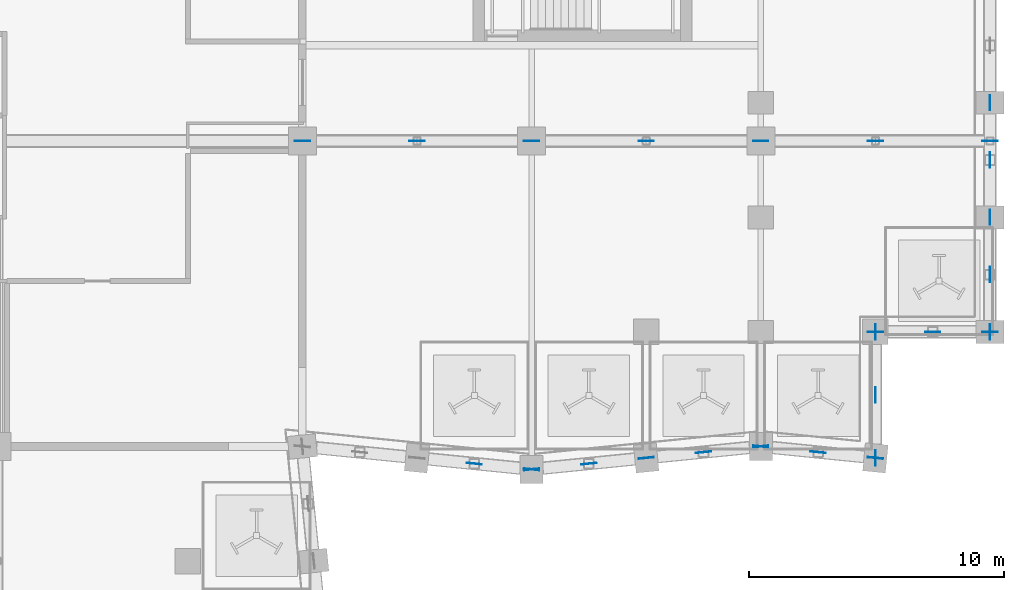
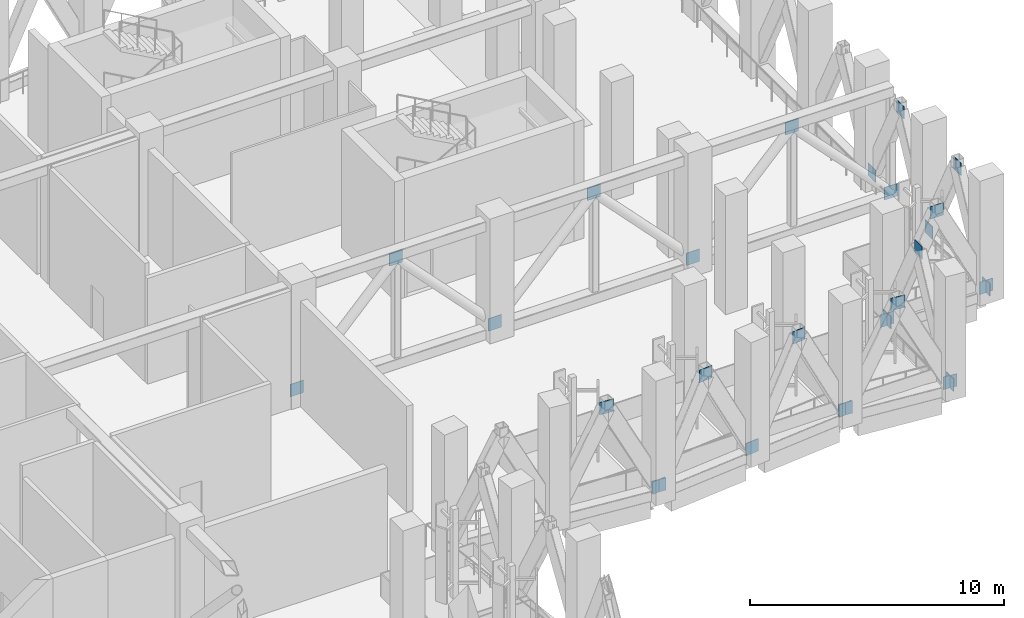
# One storey, part 20 of 28: 28 discrete accessories.
"""IFC4 building model written with IfcOpenShell, lengths in metres."""

from ifc_helpers import new_model, si_unit, direction, frame, origin, origin_2d, place, context, subcontext, project, spatial, rectangle, extrude, material, layer, layer_set, type_object, element, save


model = new_model("IFC4")

# Units and contexts
model_context = context("Model", 3, precision=1e-05, world=origin(), true_north=direction((0.0, 1.0)))
body_context = subcontext(model_context, "Body", "Model", "MODEL_VIEW")
ifc_project = project(units=[si_unit("LENGTHUNIT", "METRE"), si_unit("AREAUNIT", "SQUARE_METRE"), si_unit("VOLUMEUNIT", "CUBIC_METRE"), si_unit("PLANEANGLEUNIT", "RADIAN"), si_unit("MASSUNIT", "GRAM", prefix="KILO")], contexts=[model_context])

# Site, building, storey
site_placement = place(None, origin())
site = spatial("IfcSite", under=ifc_project, at=site_placement, CompositionType="ELEMENT")
building_placement = place(site_placement, origin())
building = spatial("IfcBuilding", under=site, at=building_placement, Name="Brondeck Convention Tower", CompositionType="ELEMENT")
storey_placement = place(building_placement, frame((0.0, 0.0, 192.800048828125)))
storey = spatial("IfcBuildingStorey", under=building, at=storey_placement, Name="L47", CompositionType="ELEMENT", Elevation=192.800048828125)

# Discrete accessories
ifc_material = material(Name="Steel S460", Category="steel")
ifc_layer = layer(ifc_material, 0.02490234375)
ifc_layer_set = layer_set([ifc_layer], Name="Gusset plate 600x600x25 Steel S460")
discrete_accessory_type = type_object("IfcDiscreteAccessoryType", Name="Gusset plate 600x600x25 Steel S460", PredefinedType="BRACKET", material=ifc_layer_set)
for number, where, z_axis, x_axis, name in (
    (1, (42.75, 26.324951171875, 4.6376953125), (0.0, 0.0, 1.0), (-0.9950364836, 0.099510784867, 0.0), "Gusset plate GP-544"),
    (2, (45.0, 26.10009765625, 0.199951171875), (0.0, 0.0, 1.0), (-0.9950364836, 0.099510784867, 0.0), "Gusset plate GP-545"),
    (3, (45.0, 26.10009765625, 0.199951171875), (0.0, 0.0, 1.0), (0.9950364836, 0.099510784867, 0.0), "Gusset plate GP-546"),
    (4, (47.25, 26.324951171875, 4.6376953125), (0.0, 0.0, 1.0), (0.9950364836, 0.099510784867, 0.0), "Gusset plate GP-547"),
    (5, (49.5, 26.550048828125, 0.199951171875), (0.0, 0.0, 1.0), (0.9950364836, 0.099510784867, 0.0), "Gusset plate GP-548"),
    (6, (51.75, 26.77490234375, 4.6376953125), (0.0, 0.0, 1.0), (0.9950364836, 0.099510784867, 0.0), "Gusset plate GP-549"),
    (7, (54.0, 27.0, 0.199951171875), (0.0, 0.0, 1.0), (0.9950364836, 0.099510784867, 0.0), "Gusset plate GP-550"),
    (8, (54.0, 27.0, 0.199951171875), (0.0, 0.0, 1.0), (-0.9950364836, 0.099510784867, 0.0), "Gusset plate GP-551"),
    (9, (56.25, 26.77490234375, 4.6376953125), (0.0, 0.0, 1.0), (-0.9950364836, 0.099510784867, 0.0), "Gusset plate GP-552"),
    (10, (58.5, 26.550048828125, 0.199951171875), (0.0, 0.0, 1.0), (-0.9950364836, 0.099510784867, 0.0), "Gusset plate GP-553"),
    (11, (58.5, 26.550048828125, 0.199951171875), (0.0, 0.0, 1.0), (0.0, 1.0, 0.0), "Gusset plate GP-554"),
    (12, (58.5, 29.02490234375, 5.0498046875), (0.0, 0.0, 1.0), (0.0, 1.0, 0.0), "Gusset plate GP-555"),
    (13, (58.5, 31.5, 0.199951171875), (0.0, 0.0, 1.0), (0.0, 1.0, 0.0), "Gusset plate GP-556"),
    (14, (58.5, 31.5, 0.199951171875), (0.0, 0.0, 1.0), (1.0, 0.0, 0.0), "Gusset plate GP-557"),
    (15, (60.75, 31.5, 4.61572265625), (0.0, 0.0, 1.0), (1.0, 0.0, 0.0), "Gusset plate GP-558"),
    (16, (63.0, 31.5, 0.199951171875), (0.0, 0.0, 1.0), (1.0, 0.0, 0.0), "Gusset plate GP-559"),
    (17, (63.0, 31.5, 0.199951171875), (0.0, 0.0, 1.0), (0.0, 1.0, 0.0), "Gusset plate GP-560"),
    (18, (63.0, 33.75, 4.61572265625), (0.0, 0.0, 1.0), (0.0, 1.0, 0.0), "Gusset plate GP-561"),
    (19, (63.0, 36.0, 0.199951171875), (0.0, 0.0, 1.0), (0.0, 1.0, 0.0), "Gusset plate GP-562"),
    (20, (63.0, 38.25, 4.61572265625), (0.0, 0.0, 1.0), (0.0, 1.0, 0.0), "Gusset plate GP-563"),
    (21, (63.0, 40.5, 0.199951171875), (0.0, 0.0, 1.0), (0.0, 1.0, 0.0), "Gusset plate GP-564"),
    (22, (36.0, 39.0, 0.199951171875), (0.0, 0.0, 1.0), (1.0, 0.0, 0.0), "Gusset plate GP-648"),
    (23, (40.5, 39.0, 4.89990234375), (0.0, 0.0, 1.0), (1.0, 0.0, 0.0), "Gusset plate GP-649"),
    (24, (45.0, 39.0, 0.199951171875), (0.0, 0.0, 1.0), (1.0, 0.0, 0.0), "Gusset plate GP-650"),
    (25, (49.5, 39.0, 4.89990234375), (0.0, 0.0, 1.0), (1.0, 0.0, 0.0), "Gusset plate GP-651"),
    (26, (54.0, 39.0, 0.199951171875), (0.0, 0.0, 1.0), (1.0, 0.0, 0.0), "Gusset plate GP-652"),
    (27, (58.5, 39.0, 4.89990234375), (0.0, 0.0, 1.0), (1.0, 0.0, 0.0), "Gusset plate GP-653"),
    (28, (63.0, 39.0, 0.199951171875), (0.0, 0.0, 1.0), (1.0, 0.0, 0.0), "Gusset plate GP-654"),
):
    element("IfcDiscreteAccessory", number, at=place(storey_placement, frame(where, z_axis=z_axis, x_axis=x_axis)), inside=storey, type_object=discrete_accessory_type, Name=name, PredefinedType="BRACKET", context=body_context, shape_type="SweptSolid", body=[
        extrude(rectangle(XDim=0.60009765625, YDim=0.02490234375, at=origin_2d()), origin(), (0.0, 0.0, 1.0), 0.60009765625),
    ])

save(model, "model.ifc")
